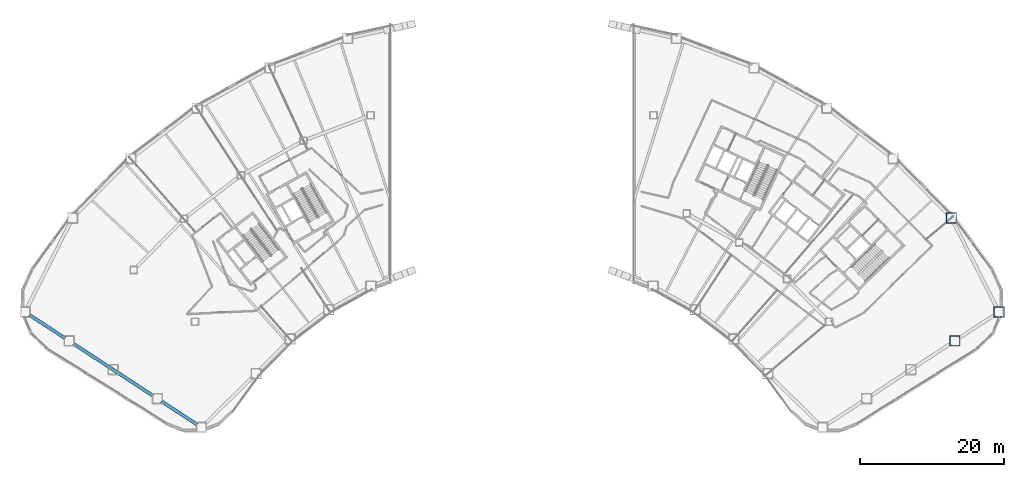
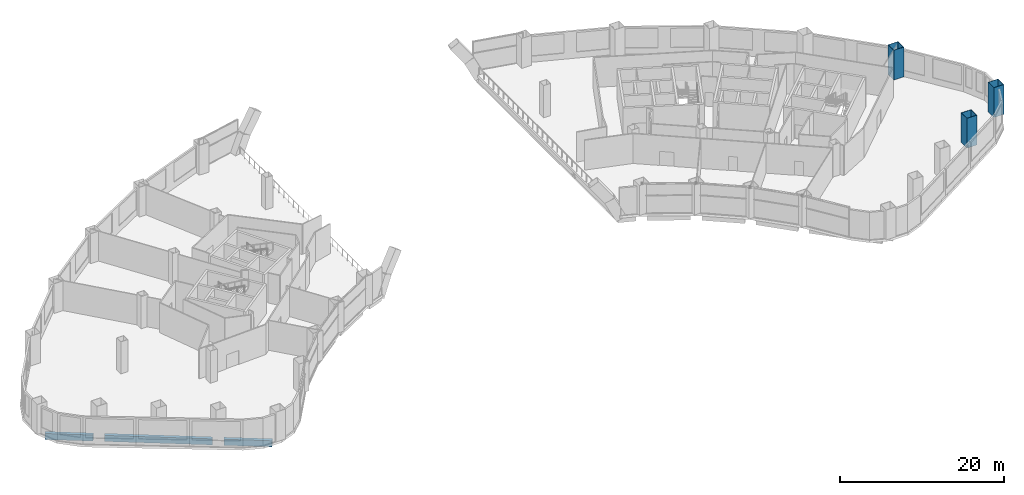
# One storey, part 2 of 20: 3 beams, 3 columns.
"""IFC4 building model written with IfcOpenShell, lengths in metres."""

from ifc_helpers import new_model, si_unit, direction, frame, origin, origin_2d, place, context, subcontext, project, spatial, hollow_rectangle, extrude, material, material_profile, profile_set, type_object, element, save


model = new_model("IFC4")

# Units and contexts
model_context = context("Model", 3, precision=1e-05, world=origin(), true_north=direction((0.0, 1.0)))
body_context = subcontext(model_context, "Body", "Model", "MODEL_VIEW")
ifc_project = project(units=[si_unit("LENGTHUNIT", "METRE"), si_unit("AREAUNIT", "SQUARE_METRE"), si_unit("VOLUMEUNIT", "CUBIC_METRE"), si_unit("PLANEANGLEUNIT", "RADIAN"), si_unit("MASSUNIT", "GRAM", prefix="KILO")], contexts=[model_context])

# Site, building, storey
site_placement = place(None, origin())
site = spatial("IfcSite", under=ifc_project, at=site_placement, CompositionType="ELEMENT")
building_placement = place(site_placement, origin())
building = spatial("IfcBuilding", under=site, at=building_placement, Name="Tuul Gate Civic Tower", CompositionType="ELEMENT")
storey_placement = place(building_placement, frame((0.0, 0.0, 12.300048828125)))
storey = spatial("IfcBuildingStorey", under=building, at=storey_placement, Name="Level 02", CompositionType="ELEMENT", Elevation=12.300048828125)

# Columns
ifc_material_1 = material(Name="Steel S355", Category="steel")
ifc_material_profile_1 = material_profile(ifc_material_1, hollow_rectangle(XDim=1.39990234375, YDim=1.39990234375, WallThickness=0.0400390625, at=origin_2d()), Name="BOX1400x1400x40")
ifc_profile_set_1 = profile_set([ifc_material_profile_1], Name="Steel S355")
column_type = type_object("IfcColumnType", Name="STR-COLUMN-BOX1400x1400x40", PredefinedType="COLUMN", material=ifc_profile_set_1)
for number, where, z_axis, x_axis, name in (
    (1, (67.56201171875, -21.366943359375, 0.0), (0.0, 0.0, 1.0), (1.0, 0.0, 0.0), "Column"),
    (2, (60.9609375, -8.327880859375, 0.0), (0.0, 0.0, 1.0), (1.0, 0.0, 0.0), "Column"),
    (3, (61.447021484375, -25.368896484375, 0.0), (0.0, 0.0, 1.0), (1.0, 0.0, 0.0), "Column"),
):
    element("IfcColumn", number, at=place(storey_placement, frame(where, z_axis=z_axis, x_axis=x_axis)), inside=storey, type_object=column_type, Name=name, PredefinedType="COLUMN", context=body_context, shape_type="SweptSolid", body=[
        extrude(hollow_rectangle(XDim=1.39990234375, YDim=1.39990234375, WallThickness=0.0400390625, at=origin_2d()), origin(), (0.0, 0.0, 1.0), 4.449951171875),
    ])

# Beams
ifc_material_2 = material(Name="Steel S355", Category="steel")
ifc_material_profile_2 = material_profile(ifc_material_2, hollow_rectangle(XDim=0.449951171875, YDim=0.89990234375, WallThickness=0.02490234375, at=origin_2d()), Name="BOX900x450x25")
ifc_profile_set_2 = profile_set([ifc_material_profile_2], Name="Steel S355")
beam_type = type_object("IfcBeamType", Name="STR-SPANDREL BEAM-BOX900x450x25", PredefinedType="BEAM", material=ifc_profile_set_2)
beam_1_placement = place(storey_placement, frame((-66.976318359375, -21.750244140625, -0.800048828125), z_axis=(0.836737319566, -0.547604472265, 0.0), x_axis=(0.547604472265, 0.836737319566, 0.0)))
element("IfcBeam", 4, at=beam_1_placement, inside=storey, type_object=beam_type, Name="Spandrel beam", PredefinedType="BEAM", context=body_context, shape_type="SweptSolid", body=[
    extrude(hollow_rectangle(XDim=0.449951171875, YDim=0.89990234375, WallThickness=0.02490234375, at=origin_2d()), origin(), (0.0, 0.0, 1.0), 5.908203125),
])
beam_2_placement = place(storey_placement, frame((-60.861328125, -25.752197265625, -0.800048828125), z_axis=(0.836741071493, -0.547598739294, 0.0), x_axis=(0.547598739294, 0.836741071493, 0.0)))
element("IfcBeam", 5, at=beam_2_placement, inside=storey, type_object=beam_type, Name="Spandrel beam", PredefinedType="BEAM", context=body_context, shape_type="SweptSolid", body=[
    extrude(hollow_rectangle(XDim=0.449951171875, YDim=0.89990234375, WallThickness=0.02490234375, at=origin_2d()), origin(), (0.0, 0.0, 1.0), 13.215087890625),
])
beam_3_placement = place(storey_placement, frame((-48.63232421875, -33.75537109375, -0.800048828125), z_axis=(0.836737319566, -0.547604472265, 0.0), x_axis=(0.547604472265, 0.836737319566, 0.0)))
element("IfcBeam", 6, at=beam_3_placement, inside=storey, type_object=beam_type, Name="Spandrel beam", PredefinedType="BEAM", context=body_context, shape_type="SweptSolid", body=[
    extrude(hollow_rectangle(XDim=0.449951171875, YDim=0.89990234375, WallThickness=0.02490234375, at=origin_2d()), origin(), (0.0, 0.0, 1.0), 5.908203125),
])

save(model, "model.ifc")
